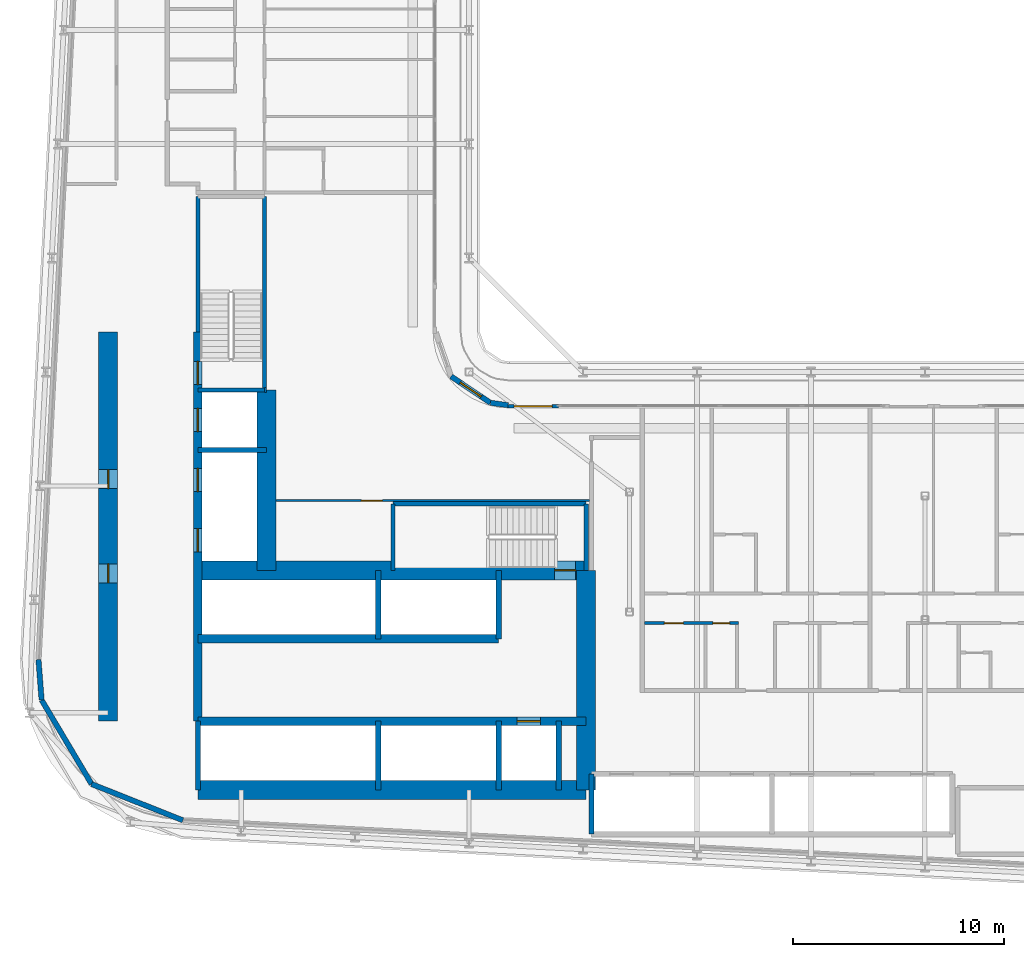
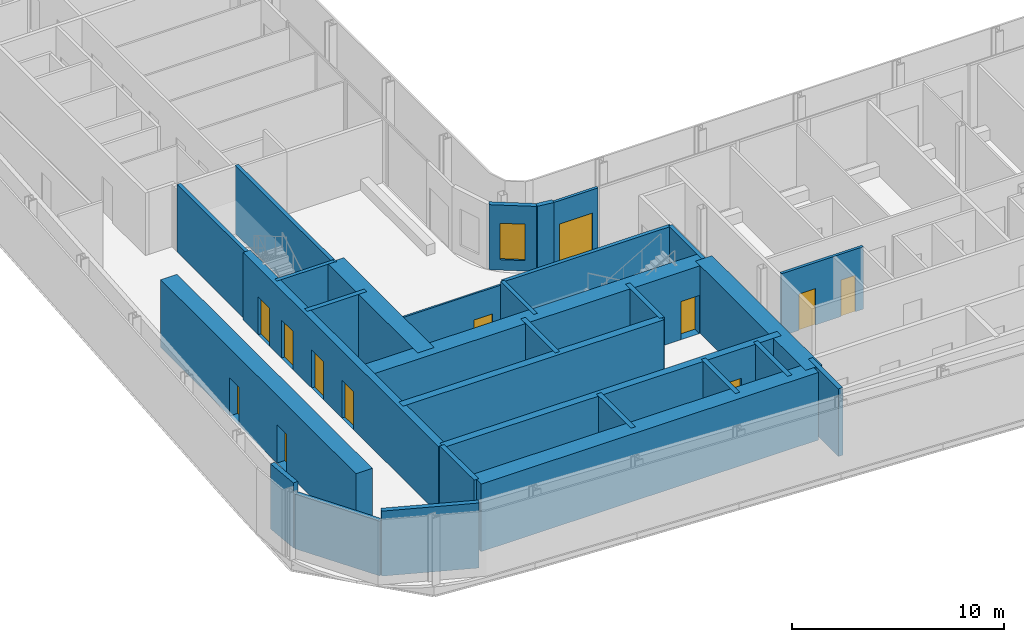
# One storey, part 14 of 29: 31 walls, 12 doors, 1 window, 13 openings.
"""IFC4 building model written with IfcOpenShell, lengths in metres."""

from ifc_helpers import new_model, si_unit, direction, frame, frame_2d, origin, place, context, subcontext, project, spatial, rectangle, extrude, source, transform, mapped, material, layer, layer_set, type_object, element, fill, save


model = new_model("IFC4")

# Units and contexts
model_context = context("Model", 3, precision=1e-05, world=origin(), true_north=direction((0.0, 1.0)))
body_context = subcontext(model_context, "Body", "Model", "MODEL_VIEW")
ifc_project = project(units=[si_unit("LENGTHUNIT", "METRE"), si_unit("AREAUNIT", "SQUARE_METRE"), si_unit("VOLUMEUNIT", "CUBIC_METRE"), si_unit("PLANEANGLEUNIT", "RADIAN"), si_unit("MASSUNIT", "GRAM", prefix="KILO")], contexts=[model_context])

# Site, building, storey
site_placement = place(None, origin())
site = spatial("IfcSite", under=ifc_project, at=site_placement, CompositionType="ELEMENT")
building_placement = place(site_placement, origin())
building = spatial("IfcBuilding", under=site, at=building_placement, Name="Kheshtan School and Residences Tower", CompositionType="ELEMENT")
storey_placement = place(building_placement, frame((0.0, 0.0, 117.5)))
storey = spatial("IfcBuildingStorey", under=building, at=storey_placement, Name="L27", CompositionType="ELEMENT", Elevation=117.5)

# Wall, opening, door
ifc_material_1 = material(Name="Concrete C50/60", Category="concrete")
ifc_layer_1 = layer(ifc_material_1, 0.39990234375)
ifc_layer_set_1 = layer_set([ifc_layer_1], Name="Core wall 400 Concrete C50/60")
wall_type_1 = type_object("IfcWallType", Name="Core wall 400 Concrete C50/60", PredefinedType="SHEAR", material=ifc_layer_set_1)
wall_1_placement = place(storey_placement, frame((34.75, 29.050048828125, 0.0), z_axis=(0.0, 0.0, 1.0), x_axis=(1.0, 0.0, 0.0)))
wall_1 = element("IfcWall", 1, at=wall_1_placement, inside=storey, type_object=wall_type_1, Name="Core wall CW-HALL-S1", PredefinedType="SHEAR", context=body_context, shape_type="SweptSolid", body=[
    extrude(rectangle(XDim=18.39990234375, YDim=0.39990234375, at=frame_2d((9.199951171875, 0.0))), origin(), (0.0, 0.0, 1.0), 3.89990234375),
])
opening_1_placement = place(wall_1_placement, frame((15.125, 0.0, 0.0)))
opening_1 = element("IfcOpeningElement", 2, at=opening_1_placement, cuts=wall_1, Name="Opening LD", PredefinedType="OPENING", context=body_context, shape_type="SweptSolid", body=[
    extrude(rectangle(XDim=1.10009765625, YDim=2.199951171875, at=frame_2d((0.550048828125, 1.10009765625))), frame((0.0, 0.2099609375, 0.0), z_axis=(0.0, -1.0, 0.0), x_axis=(1.0, 0.0, 0.0)), (0.0, 0.0, 1.0), 0.419921875),
])
ifc_material_2 = material(Name="Stainless steel door leaves", Category="steel")
door_type_1 = type_object("IfcDoorType", Name="Lift landing door 1100", OperationType="SLIDING_TO_LEFT", PredefinedType="DOOR", material=ifc_material_2)
shared_shape_1 = source(origin(), body_context, "Body", "SweptSolid", [
    extrude(rectangle(XDim=1.10009765625, YDim=2.199951171875, at=frame_2d((0.550048828125, 1.10009765625))), frame((0.0, 0.02490234375, 0.0), z_axis=(0.0, -1.0, 0.0), x_axis=(1.0, 0.0, 0.0)), (0.0, 0.0, 1.0), 0.050048828125),
])
door_1_placement = place(opening_1_placement, origin())
door_1 = element("IfcDoor", 3, at=door_1_placement, inside=storey, type_object=door_type_1, Name="Lift FFL2 landing door", OperationType="SLIDING_TO_LEFT", OverallHeight=2.199951171875, OverallWidth=1.10009765625, PredefinedType="DOOR", context=body_context, shape_type="MappedRepresentation", body=[
    mapped(shared_shape_1, transform((0.0, 0.0, 0.0), x_axis=(1.0, 0.0, 0.0), y_axis=(0.0, 1.0, 0.0), z_axis=(0.0, 0.0, 1.0), scale=1.0)),
])
fill(opening_1, door_1)

# Wall
wall_2_placement = place(storey_placement, frame((34.75, 32.949951171875, 0.0), z_axis=(0.0, 0.0, 1.0), x_axis=(1.0, 0.0, 0.0)))
element("IfcWall", 4, at=wall_2_placement, inside=storey, type_object=wall_type_1, Name="Core wall CW-HALL-S2", PredefinedType="SHEAR", context=body_context, shape_type="SweptSolid", body=[
    extrude(rectangle(XDim=14.25, YDim=0.39990234375, at=frame_2d((7.125, 0.0))), origin(), (0.0, 0.0, 1.0), 3.89990234375),
])

# Wall, openings, doors
wall_3_placement = place(storey_placement, frame((34.75, 29.050048828125, 0.0), z_axis=(0.0, 0.0, 1.0), x_axis=(0.0, 1.0, 0.0)))
wall_3 = element("IfcWall", 5, at=wall_3_placement, inside=storey, type_object=wall_type_1, Name="Core wall CW-HALL-W1", PredefinedType="SHEAR", context=body_context, shape_type="SweptSolid", body=[
    extrude(rectangle(XDim=18.449951171875, YDim=0.39990234375, at=frame_2d((9.22509765625, 0.0))), origin(), (0.0, 0.0, 1.0), 3.89990234375),
])
opening_2_placement = place(wall_3_placement, frame((8.02490234375, 0.0, 0.0)))
opening_2 = element("IfcOpeningElement", 6, at=opening_2_placement, cuts=wall_3, Name="Opening LD", PredefinedType="OPENING", context=body_context, shape_type="SweptSolid", body=[
    extrude(rectangle(XDim=1.10009765625, YDim=2.199951171875, at=frame_2d((0.550048828125, 1.10009765625))), frame((0.0, 0.2099609375, 0.0), z_axis=(0.0, -1.0, 0.0), x_axis=(1.0, 0.0, 0.0)), (0.0, 0.0, 1.0), 0.419921875),
])
opening_3_placement = place(wall_3_placement, frame((10.875, 0.0, 0.0)))
opening_3 = element("IfcOpeningElement", 7, at=opening_3_placement, cuts=wall_3, Name="Opening LD", PredefinedType="OPENING", context=body_context, shape_type="SweptSolid", body=[
    extrude(rectangle(XDim=1.10009765625, YDim=2.199951171875, at=frame_2d((0.550048828125, 1.10009765625))), frame((0.0, 0.2099609375, 0.0), z_axis=(0.0, -1.0, 0.0), x_axis=(1.0, 0.0, 0.0)), (0.0, 0.0, 1.0), 0.419921875),
])
opening_4_placement = place(wall_3_placement, frame((13.72509765625, 0.0, 0.0)))
opening_4 = element("IfcOpeningElement", 8, at=opening_4_placement, cuts=wall_3, Name="Opening LD", PredefinedType="OPENING", context=body_context, shape_type="SweptSolid", body=[
    extrude(rectangle(XDim=1.10009765625, YDim=2.199951171875, at=frame_2d((0.550048828125, 1.10009765625))), frame((0.0, 0.2099609375, 0.0), z_axis=(0.0, -1.0, 0.0), x_axis=(1.0, 0.0, 0.0)), (0.0, 0.0, 1.0), 0.419921875),
])
opening_5_placement = place(wall_3_placement, frame((15.949951171875, 0.0, 0.0)))
opening_5 = element("IfcOpeningElement", 9, at=opening_5_placement, cuts=wall_3, Name="Opening ST2D", PredefinedType="OPENING", context=body_context, shape_type="SweptSolid", body=[
    extrude(rectangle(XDim=1.10009765625, YDim=2.199951171875, at=frame_2d((0.550048828125, 1.10009765625))), frame((0.0, 0.2099609375, 0.0), z_axis=(0.0, -1.0, 0.0), x_axis=(1.0, 0.0, 0.0)), (0.0, 0.0, 1.0), 0.419921875),
])
door_2_placement = place(opening_2_placement, origin())
door_2 = element("IfcDoor", 10, at=door_2_placement, inside=storey, type_object=door_type_1, Name="Lift SV1 landing door", OperationType="SLIDING_TO_LEFT", OverallHeight=2.199951171875, OverallWidth=1.10009765625, PredefinedType="DOOR", context=body_context, shape_type="MappedRepresentation", body=[
    mapped(shared_shape_1, transform((0.0, 0.0, 0.0), x_axis=(1.0, 0.0, 0.0), y_axis=(0.0, 1.0, 0.0), z_axis=(0.0, 0.0, 1.0), scale=1.0)),
])
fill(opening_2, door_2)
door_3_placement = place(opening_3_placement, origin())
door_3 = element("IfcDoor", 11, at=door_3_placement, inside=storey, type_object=door_type_1, Name="Lift SV2 landing door", OperationType="SLIDING_TO_LEFT", OverallHeight=2.199951171875, OverallWidth=1.10009765625, PredefinedType="DOOR", context=body_context, shape_type="MappedRepresentation", body=[
    mapped(shared_shape_1, transform((0.0, 0.0, 0.0), x_axis=(1.0, 0.0, 0.0), y_axis=(0.0, 1.0, 0.0), z_axis=(0.0, 0.0, 1.0), scale=1.0)),
])
fill(opening_3, door_3)
door_4_placement = place(opening_4_placement, origin())
door_4 = element("IfcDoor", 12, at=door_4_placement, inside=storey, type_object=door_type_1, Name="Lift FFL1 landing door", OperationType="SLIDING_TO_LEFT", OverallHeight=2.199951171875, OverallWidth=1.10009765625, PredefinedType="DOOR", context=body_context, shape_type="MappedRepresentation", body=[
    mapped(shared_shape_1, transform((0.0, 0.0, 0.0), x_axis=(1.0, 0.0, 0.0), y_axis=(0.0, 1.0, 0.0), z_axis=(0.0, 0.0, 1.0), scale=1.0)),
])
fill(opening_4, door_4)
ifc_material_3 = material(Name="Steel door leaf, galvanised", Category="steel")
door_type_2 = type_object("IfcDoorType", Name="Stair door 1100 steel 90 min", OperationType="SINGLE_SWING_LEFT", PredefinedType="DOOR", material=ifc_material_3)
shared_shape_2 = source(origin(), body_context, "Body", "SweptSolid", [
    extrude(rectangle(XDim=1.10009765625, YDim=2.199951171875, at=frame_2d((0.550048828125, 1.10009765625))), frame((0.0, 0.02490234375, 0.0), z_axis=(0.0, -1.0, 0.0), x_axis=(1.0, 0.0, 0.0)), (0.0, 0.0, 1.0), 0.050048828125),
])
door_5_placement = place(opening_5_placement, origin())
door_5 = element("IfcDoor", 13, at=door_5_placement, inside=storey, type_object=door_type_2, Name="Stair ST2 door", OperationType="SINGLE_SWING_RIGHT", OverallHeight=2.199951171875, OverallWidth=1.10009765625, PredefinedType="DOOR", context=body_context, shape_type="MappedRepresentation", body=[
    mapped(shared_shape_2, transform((0.0, 0.0, 0.0), x_axis=(1.0, 0.0, 0.0), y_axis=(0.0, 1.0, 0.0), z_axis=(0.0, 0.0, 1.0), scale=1.0)),
])
fill(opening_5, door_5)

# Wall
ifc_material_4 = material(Name="Concrete C80/95", Category="concrete")
ifc_layer_2 = layer(ifc_material_4, 0.89990234375)
ifc_layer_set_2 = layer_set([ifc_layer_2], Name="Core wall 900 Concrete C80/95")
wall_type_2 = type_object("IfcWallType", Name="Core wall 900 Concrete C80/95", PredefinedType="SHEAR", material=ifc_layer_set_2)
wall_4_placement = place(storey_placement, frame((34.75, 25.800048828125, 0.0), z_axis=(0.0, 0.0, 1.0), x_axis=(1.0, 0.0, 0.0)))
element("IfcWall", 14, at=wall_4_placement, inside=storey, type_object=wall_type_2, Name="Core wall CW-REAR-S", PredefinedType="SHEAR", context=body_context, shape_type="SweptSolid", body=[
    extrude(rectangle(XDim=18.39990234375, YDim=0.89990234375, at=frame_2d((9.199951171875, 0.0))), origin(), (0.0, 0.0, 1.0), 3.89990234375),
])

# Wall, opening, door
wall_5_placement = place(storey_placement, frame((34.75, 36.199951171875, 0.0), z_axis=(0.0, 0.0, 1.0), x_axis=(1.0, 0.0, 0.0)))
wall_5 = element("IfcWall", 15, at=wall_5_placement, inside=storey, type_object=wall_type_2, Name="Core wall CW-FRONT-S", PredefinedType="SHEAR", context=body_context, shape_type="SweptSolid", body=[
    extrude(rectangle(XDim=18.39990234375, YDim=0.89990234375, at=frame_2d((9.199951171875, 0.0))), origin(), (0.0, 0.0, 1.0), 3.89990234375),
])
opening_6_placement = place(wall_5_placement, frame((16.89990234375, 0.0, 0.0)))
opening_6 = element("IfcOpeningElement", 16, at=opening_6_placement, cuts=wall_5, Name="Opening ST1D", PredefinedType="OPENING", context=body_context, shape_type="SweptSolid", body=[
    extrude(rectangle(XDim=1.0, YDim=2.199951171875, at=frame_2d((0.5, 1.10009765625))), frame((0.0, 0.4599609375, 0.0), z_axis=(0.0, -1.0, 0.0), x_axis=(1.0, 0.0, 0.0)), (0.0, 0.0, 1.0), 0.919921875),
])
shared_shape_3 = source(origin(), body_context, "Body", "SweptSolid", [
    extrude(rectangle(XDim=1.0, YDim=2.199951171875, at=frame_2d((0.5, 1.10009765625))), frame((0.0, 0.02490234375, 0.0), z_axis=(0.0, -1.0, 0.0), x_axis=(1.0, 0.0, 0.0)), (0.0, 0.0, 1.0), 0.050048828125),
])
door_6_placement = place(opening_6_placement, origin())
door_6 = element("IfcDoor", 17, at=door_6_placement, inside=storey, type_object=door_type_2, Name="Stair ST1 door", OperationType="SINGLE_SWING_RIGHT", OverallHeight=2.199951171875, OverallWidth=1.0, PredefinedType="DOOR", context=body_context, shape_type="MappedRepresentation", body=[
    mapped(shared_shape_3, transform((0.0, 0.0, 0.0), x_axis=(1.0, 0.0, 0.0), y_axis=(0.0, 1.0, 0.0), z_axis=(0.0, 0.0, 1.0), scale=1.0)),
])
fill(opening_6, door_6)

# Wall
wall_6_placement = place(storey_placement, frame((38.0, 36.199951171875, 0.0), z_axis=(0.0, 0.0, 1.0), x_axis=(0.0, 1.0, 0.0)))
element("IfcWall", 18, at=wall_6_placement, inside=storey, type_object=wall_type_2, Name="Core wall CW-FRONT-W", PredefinedType="SHEAR", context=body_context, shape_type="SweptSolid", body=[
    extrude(rectangle(XDim=8.550048828125, YDim=0.89990234375, at=frame_2d((4.27490234375, 0.0))), origin(), (0.0, 0.0, 1.0), 3.89990234375),
])

# Wall, openings, doors
wall_7_placement = place(storey_placement, frame((30.5, 29.050048828125, 0.0), z_axis=(0.0, 0.0, 1.0), x_axis=(0.0, 1.0, 0.0)))
wall_7 = element("IfcWall", 19, at=wall_7_placement, inside=storey, type_object=wall_type_2, Name="Core wall CW-REAR-W", PredefinedType="SHEAR", context=body_context, shape_type="SweptSolid", body=[
    extrude(rectangle(XDim=18.449951171875, YDim=0.89990234375, at=frame_2d((9.22509765625, 0.0))), origin(), (0.0, 0.0, 1.0), 3.89990234375),
])
opening_7_placement = place(wall_7_placement, frame((6.550048828125, 0.0, 0.0)))
opening_7 = element("IfcOpeningElement", 20, at=opening_7_placement, cuts=wall_7, Name="Opening SR90", PredefinedType="OPENING", context=body_context, shape_type="SweptSolid", body=[
    extrude(rectangle(XDim=0.89990234375, YDim=2.199951171875, at=frame_2d((0.449951171875, 1.10009765625))), frame((0.0, 0.4599609375, 0.0), z_axis=(0.0, -1.0, 0.0), x_axis=(1.0, 0.0, 0.0)), (0.0, 0.0, 1.0), 0.919921875),
])
opening_8_placement = place(wall_7_placement, frame((11.02490234375, 0.0, 0.0)))
opening_8 = element("IfcOpeningElement", 21, at=opening_8_placement, cuts=wall_7, Name="Opening SR90", PredefinedType="OPENING", context=body_context, shape_type="SweptSolid", body=[
    extrude(rectangle(XDim=0.89990234375, YDim=2.199951171875, at=frame_2d((0.449951171875, 1.10009765625))), frame((0.0, 0.4599609375, 0.0), z_axis=(0.0, -1.0, 0.0), x_axis=(1.0, 0.0, 0.0)), (0.0, 0.0, 1.0), 0.919921875),
])
door_type_3 = type_object("IfcDoorType", Name="Service room door 900 steel 90 min", OperationType="SINGLE_SWING_LEFT", PredefinedType="DOOR", material=ifc_material_3)
shared_shape_4 = source(origin(), body_context, "Body", "SweptSolid", [
    extrude(rectangle(XDim=0.89990234375, YDim=2.199951171875, at=frame_2d((0.449951171875, 1.10009765625))), frame((0.0, 0.02490234375, 0.0), z_axis=(0.0, -1.0, 0.0), x_axis=(1.0, 0.0, 0.0)), (0.0, 0.0, 1.0), 0.050048828125),
])
door_7_placement = place(opening_7_placement, origin())
door_7 = element("IfcDoor", 22, at=door_7_placement, inside=storey, type_object=door_type_3, Name="Service room door", OperationType="SINGLE_SWING_RIGHT", OverallHeight=2.199951171875, OverallWidth=0.89990234375, PredefinedType="DOOR", context=body_context, shape_type="MappedRepresentation", body=[
    mapped(shared_shape_4, transform((0.0, 0.0, 0.0), x_axis=(1.0, 0.0, 0.0), y_axis=(0.0, 1.0, 0.0), z_axis=(0.0, 0.0, 1.0), scale=1.0)),
])
fill(opening_7, door_7)
door_8_placement = place(opening_8_placement, origin())
door_8 = element("IfcDoor", 23, at=door_8_placement, inside=storey, type_object=door_type_3, Name="Service room door", OperationType="SINGLE_SWING_RIGHT", OverallHeight=2.199951171875, OverallWidth=0.89990234375, PredefinedType="DOOR", context=body_context, shape_type="MappedRepresentation", body=[
    mapped(shared_shape_4, transform((0.0, 0.0, 0.0), x_axis=(1.0, 0.0, 0.0), y_axis=(0.0, 1.0, 0.0), z_axis=(0.0, 0.0, 1.0), scale=1.0)),
])
fill(opening_8, door_8)

# Walls
wall_8_placement = place(storey_placement, frame((53.14990234375, 25.800048828125, 0.0), z_axis=(0.0, 0.0, 1.0), x_axis=(0.0, 1.0, 0.0)))
element("IfcWall", 24, at=wall_8_placement, inside=storey, type_object=wall_type_2, Name="Core wall CW-EAST", PredefinedType="SHEAR", context=body_context, shape_type="SweptSolid", body=[
    extrude(rectangle(XDim=10.39990234375, YDim=0.89990234375, at=frame_2d((5.199951171875, 0.0))), origin(), (0.0, 0.0, 1.0), 3.89990234375),
])
ifc_material_5 = material(Name="Concrete C40/50 with ceramic cladding and mineral wool insulation", Category="concrete")
ifc_layer_3 = layer(ifc_material_5, 0.25)
ifc_layer_set_3 = layer_set([ifc_layer_3], Name="External wall 250 ceramic clad")
wall_type_3 = type_object("IfcWallType", Name="External wall 250 ceramic clad", PredefinedType="SOLIDWALL", material=ifc_layer_set_3)
wall_9_placement = place(storey_placement, frame((34.0390625, 24.35302734375, 0.0), z_axis=(0.0, 0.0, 1.0), x_axis=(-0.929352825399, 0.369192803184, 0.0)))
element("IfcWall", 25, at=wall_9_placement, inside=storey, type_object=wall_type_3, Name="External wall L27 1", PredefinedType="SOLIDWALL", context=body_context, shape_type="SweptSolid", body=[
    extrude(rectangle(XDim=4.656005859375, YDim=0.25, at=frame_2d((2.328125, 0.0))), origin(), (0.0, 0.0, 1.0), 3.75),
])
wall_10_placement = place(storey_placement, frame((29.7119140625, 26.072021484375, 0.0), z_axis=(0.0, 0.0, 1.0), x_axis=(-0.511028049012, 0.859564036662, 0.0)))
element("IfcWall", 26, at=wall_10_placement, inside=storey, type_object=wall_type_3, Name="External wall L27 2", PredefinedType="SOLIDWALL", context=body_context, shape_type="SweptSolid", body=[
    extrude(rectangle(XDim=4.633544921875, YDim=0.25, at=frame_2d((2.31689453125, 0.0))), origin(), (0.0, 0.0, 1.0), 3.14697265625),
])
wall_11_placement = place(storey_placement, frame((27.343994140625, 30.054931640625, 0.0), z_axis=(0.0, 0.0, 1.0), x_axis=(-0.077571675317, 0.99698677784, 0.0)))
element("IfcWall", 27, at=wall_11_placement, inside=storey, type_object=wall_type_3, Name="External wall L27 3", PredefinedType="SOLIDWALL", context=body_context, shape_type="SweptSolid", body=[
    extrude(rectangle(XDim=1.919921875, YDim=0.25, at=frame_2d((0.9599609375, 0.0))), origin(), (0.0, 0.0, 1.0), 3.75),
])

# Wall, opening, window
wall_12_placement = place(storey_placement, frame((46.742919921875, 45.388916015625, 0.0), z_axis=(0.0, 0.0, 1.0), x_axis=(0.831449265529, -0.555600682912, 0.0)))
wall_12 = element("IfcWall", 28, at=wall_12_placement, inside=storey, type_object=wall_type_3, Name="External wall L27 10", PredefinedType="SOLIDWALL", context=body_context, shape_type="SweptSolid", body=[
    extrude(rectangle(XDim=2.25146484375, YDim=0.25, at=frame_2d((1.125732421875, 0.0))), origin(), (0.0, 0.0, 1.0), 3.75),
])
opening_9_placement = place(wall_12_placement, frame((0.52490234375, 0.0, 0.60009765625)))
opening_9 = element("IfcOpeningElement", 29, at=opening_9_placement, cuts=wall_12, Name="Opening WN-E", PredefinedType="OPENING", context=body_context, shape_type="SweptSolid", body=[
    extrude(rectangle(XDim=1.199951171875, YDim=2.10009765625, at=frame_2d((0.60009765625, 1.050048828125))), frame((0.0, 0.135009765625, 0.0), z_axis=(0.0, -1.0, 0.0), x_axis=(1.0, 0.0, 0.0)), (0.0, 0.0, 1.0), 0.27001953125),
])
ifc_material_6 = material(Name="Clear low-e glass in thermally broken aluminium frame", Category="aluminium")
window_type = type_object("IfcWindowType", Name="Window WN-E", PartitioningType="SINGLE_PANEL", PredefinedType="WINDOW", material=ifc_material_6)
shared_shape_5 = source(origin(), body_context, "Body", "SweptSolid", [
    extrude(rectangle(XDim=1.199951171875, YDim=2.10009765625, at=frame_2d((0.60009765625, 1.050048828125))), frame((0.0, 0.030029296875, 0.0), z_axis=(0.0, -1.0, 0.0), x_axis=(1.0, 0.0, 0.0)), (0.0, 0.0, 1.0), 0.06005859375),
])
window_placement = place(opening_9_placement, origin())
window = element("IfcWindow", 30, at=window_placement, inside=storey, type_object=window_type, Name="Window L27 10", OverallHeight=2.10009765625, OverallWidth=1.199951171875, PartitioningType="SINGLE_PANEL", PredefinedType="WINDOW", context=body_context, shape_type="MappedRepresentation", body=[
    mapped(shared_shape_5, transform((0.0, 0.0, 0.0), x_axis=(1.0, 0.0, 0.0), y_axis=(0.0, 1.0, 0.0), z_axis=(0.0, 0.0, 1.0), scale=1.0)),
])
fill(opening_9, window)

# Wall
wall_13_placement = place(storey_placement, frame((48.614990234375, 44.137939453125, 0.0), z_axis=(0.0, 0.0, 1.0), x_axis=(0.990741504246, -0.135761819977, 0.0)))
element("IfcWall", 31, at=wall_13_placement, inside=storey, type_object=wall_type_3, Name="External wall L27 11", PredefinedType="SOLIDWALL", context=body_context, shape_type="SweptSolid", body=[
    extrude(rectangle(XDim=0.83984375, YDim=0.25, at=frame_2d((0.419921875, 0.0))), origin(), (0.0, 0.0, 1.0), 3.75),
])

# Wall, opening, door
ifc_material_7 = material(Name="Aluminium frame wall with insulated infill", Category="aluminium")
ifc_layer_4 = layer(ifc_material_7, 0.14990234375)
ifc_layer_set_4 = layer_set([ifc_layer_4], Name="Glazing frame wall 150")
wall_type_4 = type_object("IfcWallType", Name="Glazing frame wall 150", PredefinedType="SOLIDWALL", material=ifc_layer_set_4)
wall_14_placement = place(storey_placement, frame((49.429931640625, 43.97509765625, 0.0), z_axis=(0.0, 0.0, 1.0), x_axis=(1.0, 0.0, 0.0)))
wall_14 = element("IfcWall", 32, at=wall_14_placement, inside=storey, type_object=wall_type_4, Name="Balcony door wall L27 12.1", PredefinedType="SOLIDWALL", context=body_context, shape_type="SweptSolid", body=[
    extrude(rectangle(XDim=2.400146484375, YDim=0.14990234375, at=frame_2d((1.2001953125, 0.0))), origin(), (0.0, 0.0, 1.0), 3.75),
])
opening_10_placement = place(wall_14_placement, frame((0.300048828125, 0.0, 0.0)))
opening_10 = element("IfcOpeningElement", 33, at=opening_10_placement, cuts=wall_14, Name="Opening BD", PredefinedType="OPENING", context=body_context, shape_type="SweptSolid", body=[
    extrude(rectangle(XDim=1.800048828125, YDim=2.39990234375, at=frame_2d((0.89990234375, 1.199951171875))), frame((0.0, 0.0849609375, 0.0), z_axis=(0.0, -1.0, 0.0), x_axis=(1.0, 0.0, 0.0)), (0.0, 0.0, 1.0), 0.169921875),
])
door_type_4 = type_object("IfcDoorType", Name="Balcony sliding door", OperationType="SLIDING_TO_LEFT", PredefinedType="DOOR", material=ifc_material_6)
shared_shape_6 = source(origin(), body_context, "Body", "SweptSolid", [
    extrude(rectangle(XDim=1.800048828125, YDim=2.39990234375, at=frame_2d((0.89990234375, 1.199951171875))), frame((0.0, 0.02490234375, 0.0), z_axis=(0.0, -1.0, 0.0), x_axis=(1.0, 0.0, 0.0)), (0.0, 0.0, 1.0), 0.050048828125),
])
door_9_placement = place(opening_10_placement, origin())
door_9 = element("IfcDoor", 34, at=door_9_placement, inside=storey, type_object=door_type_4, Name="Balcony door L27 12.1", OperationType="SLIDING_TO_LEFT", OverallHeight=2.39990234375, OverallWidth=1.800048828125, PredefinedType="DOOR", context=body_context, shape_type="MappedRepresentation", body=[
    mapped(shared_shape_6, transform((0.0, 0.0, 0.0), x_axis=(1.0, 0.0, 0.0), y_axis=(0.0, 1.0, 0.0), z_axis=(0.0, 0.0, 1.0), scale=1.0)),
])
fill(opening_10, door_9)

ifc_material_8 = material(Name="Gypsum board on steel studs", Category="steel")
ifc_layer_5 = layer(ifc_material_8, 0.10009765625)
ifc_layer_set_5 = layer_set([ifc_layer_5], Name="Gypsum partition 100")
wall_type_5 = type_object("IfcWallType", Name="Gypsum partition 100", PredefinedType="PARTITIONING", material=ifc_layer_set_5)
wall_15_placement = place(storey_placement, frame((38.448974609375, 39.5, 0.0), z_axis=(0.0, 0.0, 1.0), x_axis=(1.0, 0.0, 0.0)))
wall_15 = element("IfcWall", 35, at=wall_15_placement, inside=storey, type_object=wall_type_5, Name="Partition L27-044", PredefinedType="PARTITIONING", context=body_context, shape_type="SweptSolid", body=[
    extrude(rectangle(XDim=14.85107421875, YDim=0.10009765625, at=frame_2d((7.425537109375, 0.0))), origin(), (0.0, 0.0, 1.0), 3.60009765625),
])
opening_11_placement = place(wall_15_placement, frame((4.047119140625, 0.0, 0.0)))
opening_11 = element("IfcOpeningElement", 36, at=opening_11_placement, cuts=wall_15, Name="Opening D27-066", PredefinedType="OPENING", context=body_context, shape_type="SweptSolid", body=[
    extrude(rectangle(XDim=1.0, YDim=2.10009765625, at=frame_2d((0.5, 1.050048828125))), frame((0.0, 0.06005859375, 0.0), z_axis=(0.0, -1.0, 0.0), x_axis=(1.0, 0.0, 0.0)), (0.0, 0.0, 1.0), 0.1201171875),
])
ifc_material_9 = material(Name="Veneered timber door leaf", Category="wood")
door_type_5 = type_object("IfcDoorType", Name="Door 1000 x 2100", OperationType="SINGLE_SWING_LEFT", PredefinedType="DOOR", material=ifc_material_9)
shared_shape_7 = source(origin(), body_context, "Body", "SweptSolid", [
    extrude(rectangle(XDim=1.0, YDim=2.10009765625, at=frame_2d((0.5, 1.050048828125))), frame((0.0, 0.02490234375, 0.0), z_axis=(0.0, -1.0, 0.0), x_axis=(1.0, 0.0, 0.0)), (0.0, 0.0, 1.0), 0.050048828125),
])
door_10_placement = place(opening_11_placement, origin())
door_10 = element("IfcDoor", 37, at=door_10_placement, inside=storey, type_object=door_type_5, Name="Door D27-066", OperationType="SINGLE_SWING_LEFT", OverallHeight=2.10009765625, OverallWidth=1.0, PredefinedType="DOOR", context=body_context, shape_type="MappedRepresentation", body=[
    mapped(shared_shape_7, transform((0.0, 0.0, 0.0), x_axis=(1.0, 0.0, 0.0), y_axis=(0.0, 1.0, 0.0), z_axis=(0.0, 0.0, 1.0), scale=1.0)),
])
fill(opening_11, door_10)

# Walls
ifc_material_10 = material(Name="Fire-board shaft wall system")
ifc_layer_6 = layer(ifc_material_10, 0.25)
ifc_layer_set_6 = layer_set([ifc_layer_6], Name="Shaft lining wall 250")
wall_type_6 = type_object("IfcWallType", Name="Shaft lining wall 250", PredefinedType="PARTITIONING", material=ifc_layer_set_6)
for number, where, z_axis, x_axis, name in (
    (38, (34.75, 25.800048828125, 0.0), (0.0, 0.0, 1.0), (0.0, 1.0, 0.0), "Shaft lining wall"),
    (39, (43.300048828125, 25.800048828125, 0.0), (0.0, 0.0, 1.0), (0.0, 1.0, 0.0), "Shaft lining wall"),
    (40, (43.300048828125, 32.949951171875, 0.0), (0.0, 0.0, 1.0), (0.0, 1.0, 0.0), "Shaft lining wall"),
    (41, (49.0, 25.800048828125, 0.0), (0.0, 0.0, 1.0), (0.0, 1.0, 0.0), "Shaft lining wall"),
    (42, (49.0, 32.949951171875, 0.0), (0.0, 0.0, 1.0), (0.0, 1.0, 0.0), "Shaft lining wall"),
    (43, (51.85009765625, 25.800048828125, 0.0), (0.0, 0.0, 1.0), (0.0, 1.0, 0.0), "Shaft lining wall"),
):
    element("IfcWall", number, at=place(storey_placement, frame(where, z_axis=z_axis, x_axis=x_axis)), inside=storey, type_object=wall_type_6, Name=name, PredefinedType="PARTITIONING", context=body_context, shape_type="SweptSolid", body=[
        extrude(rectangle(XDim=3.25, YDim=0.25, at=frame_2d((1.625, 0.0))), origin(), (0.0, 0.0, 1.0), 3.89990234375),
    ])
wall_16_placement = place(storey_placement, frame((53.39990234375, 23.699951171875, 0.0), z_axis=(0.0, 0.0, 1.0), x_axis=(0.0, 1.0, 0.0)))
element("IfcWall", 44, at=wall_16_placement, inside=storey, type_object=wall_type_6, Name="Shaft lining wall", PredefinedType="PARTITIONING", context=body_context, shape_type="SweptSolid", body=[
    extrude(rectangle(XDim=2.85009765625, YDim=0.25, at=frame_2d((1.425048828125, 0.0))), origin(), (0.0, 0.0, 1.0), 3.89990234375),
])
wall_17_placement = place(storey_placement, frame((34.75, 41.89990234375, 0.0), z_axis=(0.0, 0.0, 1.0), x_axis=(1.0, 0.0, 0.0)))
element("IfcWall", 45, at=wall_17_placement, inside=storey, type_object=wall_type_6, Name="Shaft lining wall", PredefinedType="PARTITIONING", context=body_context, shape_type="SweptSolid", body=[
    extrude(rectangle(XDim=3.25, YDim=0.25, at=frame_2d((1.625, 0.0))), origin(), (0.0, 0.0, 1.0), 3.89990234375),
])
wall_18_placement = place(storey_placement, frame((37.89990234375, 44.75, 0.0), z_axis=(0.0, 0.0, 1.0), x_axis=(1.0, 0.0, 0.0)))
element("IfcWall", 46, at=wall_18_placement, inside=storey, type_object=wall_type_6, Name="Shaft lining wall", PredefinedType="PARTITIONING", context=body_context, shape_type="SweptSolid", body=[
    extrude(rectangle(XDim=0.10009765625, YDim=0.25, at=frame_2d((0.050048828125, 0.0))), origin(), (0.0, 0.0, 1.0), 3.89990234375),
])
ifc_material_11 = material(Name="Concrete C40/50", Category="concrete")
ifc_layer_7 = layer(ifc_material_11, 0.199951171875)
ifc_layer_set_7 = layer_set([ifc_layer_7], Name="Stair enclosure wall 200 Concrete C40/50")
wall_type_7 = type_object("IfcWallType", Name="Stair enclosure wall 200 Concrete C40/50", PredefinedType="SHEAR", material=ifc_layer_set_7)
wall_19_placement = place(storey_placement, frame((43.989990234375, 39.35009765625, 0.0), z_axis=(0.0, 0.0, 1.0), x_axis=(1.0, 0.0, 0.0)))
element("IfcWall", 47, at=wall_19_placement, inside=storey, type_object=wall_type_7, Name="Stair enclosure wall ST1", PredefinedType="SHEAR", context=body_context, shape_type="SweptSolid", body=[
    extrude(rectangle(XDim=9.159912109375, YDim=0.199951171875, at=frame_2d((4.580078125, 0.0))), origin(), (0.0, 0.0, 1.0), 3.89990234375),
])
for number, where, z_axis, x_axis, name in (
    (48, (43.989990234375, 36.199951171875, 0.0), (0.0, 0.0, 1.0), (0.0, 1.0, 0.0), "Stair enclosure wall ST1"),
    (49, (53.14990234375, 36.199951171875, 0.0), (0.0, 0.0, 1.0), (0.0, 1.0, 0.0), "Stair enclosure wall ST1"),
):
    element("IfcWall", number, at=place(storey_placement, frame(where, z_axis=z_axis, x_axis=x_axis)), inside=storey, type_object=wall_type_7, Name=name, PredefinedType="SHEAR", context=body_context, shape_type="SweptSolid", body=[
        extrude(rectangle(XDim=3.150146484375, YDim=0.199951171875, at=frame_2d((1.5751953125, 0.0))), origin(), (0.0, 0.0, 1.0), 3.89990234375),
    ])
wall_20_placement = place(storey_placement, frame((34.75, 44.75, 0.0), z_axis=(0.0, 0.0, 1.0), x_axis=(1.0, 0.0, 0.0)))
element("IfcWall", 50, at=wall_20_placement, inside=storey, type_object=wall_type_7, Name="Stair enclosure wall ST2", PredefinedType="SHEAR", context=body_context, shape_type="SweptSolid", body=[
    extrude(rectangle(XDim=3.14990234375, YDim=0.199951171875, at=frame_2d((1.574951171875, 0.0))), origin(), (0.0, 0.0, 1.0), 3.89990234375),
])
wall_21_placement = place(storey_placement, frame((34.75, 47.5, 0.0), z_axis=(0.0, 0.0, 1.0), x_axis=(0.0, 1.0, 0.0)))
element("IfcWall", 51, at=wall_21_placement, inside=storey, type_object=wall_type_7, Name="Stair enclosure wall ST2", PredefinedType="SHEAR", context=body_context, shape_type="SweptSolid", body=[
    extrude(rectangle(XDim=6.409912109375, YDim=0.199951171875, at=frame_2d((3.205078125, 0.0))), origin(), (0.0, 0.0, 1.0), 3.89990234375),
])
wall_22_placement = place(storey_placement, frame((37.89990234375, 44.75, 0.0), z_axis=(0.0, 0.0, 1.0), x_axis=(0.0, 1.0, 0.0)))
element("IfcWall", 52, at=wall_22_placement, inside=storey, type_object=wall_type_7, Name="Stair enclosure wall ST2", PredefinedType="SHEAR", context=body_context, shape_type="SweptSolid", body=[
    extrude(rectangle(XDim=9.159912109375, YDim=0.199951171875, at=frame_2d((4.580078125, 0.0))), origin(), (0.0, 0.0, 1.0), 3.89990234375),
])

# Wall, openings, doors
ifc_material_12 = material(Name="Moisture-resistant gypsum board on steel studs", Category="steel")
ifc_layer_8 = layer(ifc_material_12, 0.14990234375)
ifc_layer_set_8 = layer_set([ifc_layer_8], Name="Wet-room partition 150")
wall_type_8 = type_object("IfcWallType", Name="Wet-room partition 150", PredefinedType="PARTITIONING", material=ifc_layer_set_8)
wall_23_placement = place(storey_placement, frame((55.89990234375, 33.699951171875, 0.0), z_axis=(0.0, 0.0, 1.0), x_axis=(1.0, 0.0, 0.0)))
wall_23 = element("IfcWall", 53, at=wall_23_placement, inside=storey, type_object=wall_type_8, Name="Partition L27-052", PredefinedType="PARTITIONING", context=body_context, shape_type="SweptSolid", body=[
    extrude(rectangle(XDim=4.47509765625, YDim=0.14990234375, at=frame_2d((2.237548828125, 0.0))), origin(), (0.0, 0.0, 1.0), 3.60009765625),
])
opening_12_placement = place(wall_23_placement, frame((0.949951171875, 0.0, 0.0)))
opening_12 = element("IfcOpeningElement", 54, at=opening_12_placement, cuts=wall_23, Name="Opening D27-006", PredefinedType="OPENING", context=body_context, shape_type="SweptSolid", body=[
    extrude(rectangle(XDim=0.89990234375, YDim=2.10009765625, at=frame_2d((0.449951171875, 1.050048828125))), frame((0.0, 0.0849609375, 0.0), z_axis=(0.0, -1.0, 0.0), x_axis=(1.0, 0.0, 0.0)), (0.0, 0.0, 1.0), 0.169921875),
])
opening_13_placement = place(wall_23_placement, frame((3.25, 0.0, 0.0)))
opening_13 = element("IfcOpeningElement", 55, at=opening_13_placement, cuts=wall_23, Name="Opening D27-009", PredefinedType="OPENING", context=body_context, shape_type="SweptSolid", body=[
    extrude(rectangle(XDim=0.800048828125, YDim=2.10009765625, at=frame_2d((0.39990234375, 1.050048828125))), frame((0.0, 0.0849609375, 0.0), z_axis=(0.0, -1.0, 0.0), x_axis=(1.0, 0.0, 0.0)), (0.0, 0.0, 1.0), 0.169921875),
])
door_type_6 = type_object("IfcDoorType", Name="Door 800 x 2100", OperationType="SINGLE_SWING_LEFT", PredefinedType="DOOR", material=ifc_material_9)
shared_shape_8 = source(origin(), body_context, "Body", "SweptSolid", [
    extrude(rectangle(XDim=0.800048828125, YDim=2.10009765625, at=frame_2d((0.39990234375, 1.050048828125))), frame((0.0, 0.02490234375, 0.0), z_axis=(0.0, -1.0, 0.0), x_axis=(1.0, 0.0, 0.0)), (0.0, 0.0, 1.0), 0.050048828125),
])
door_11_placement = place(opening_13_placement, origin())
door_11 = element("IfcDoor", 56, at=door_11_placement, inside=storey, type_object=door_type_6, Name="Door D27-009", OperationType="SINGLE_SWING_LEFT", OverallHeight=2.10009765625, OverallWidth=0.800048828125, PredefinedType="DOOR", context=body_context, shape_type="MappedRepresentation", body=[
    mapped(shared_shape_8, transform((0.0, 0.0, 0.0), x_axis=(1.0, 0.0, 0.0), y_axis=(0.0, 1.0, 0.0), z_axis=(0.0, 0.0, 1.0), scale=1.0)),
])
fill(opening_13, door_11)
door_type_7 = type_object("IfcDoorType", Name="Door 900 x 2100", OperationType="SINGLE_SWING_LEFT", PredefinedType="DOOR", material=ifc_material_9)
shared_shape_9 = source(origin(), body_context, "Body", "SweptSolid", [
    extrude(rectangle(XDim=0.89990234375, YDim=2.10009765625, at=frame_2d((0.449951171875, 1.050048828125))), frame((0.0, 0.02490234375, 0.0), z_axis=(0.0, -1.0, 0.0), x_axis=(1.0, 0.0, 0.0)), (0.0, 0.0, 1.0), 0.050048828125),
])
door_12_placement = place(opening_12_placement, origin())
door_12 = element("IfcDoor", 57, at=door_12_placement, inside=storey, type_object=door_type_7, Name="Door D27-006", OperationType="SINGLE_SWING_LEFT", OverallHeight=2.10009765625, OverallWidth=0.89990234375, PredefinedType="DOOR", context=body_context, shape_type="MappedRepresentation", body=[
    mapped(shared_shape_9, transform((0.0, 0.0, 0.0), x_axis=(1.0, 0.0, 0.0), y_axis=(0.0, 1.0, 0.0), z_axis=(0.0, 0.0, 1.0), scale=1.0)),
])
fill(opening_12, door_12)

save(model, "model.ifc")
